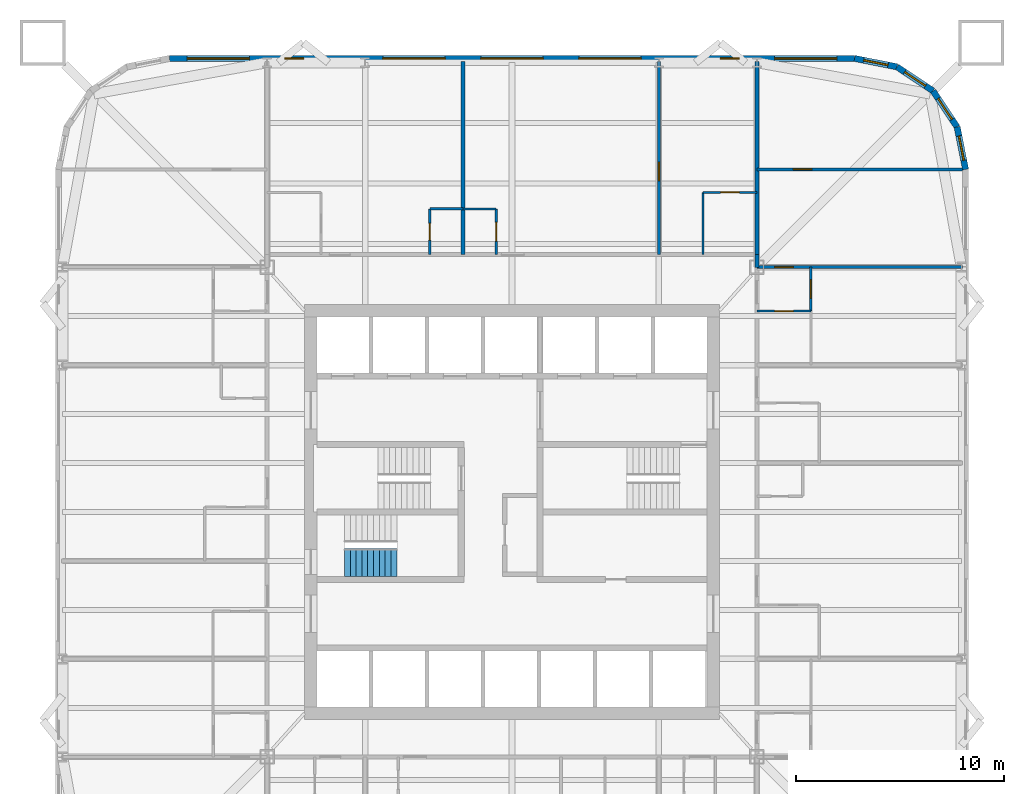
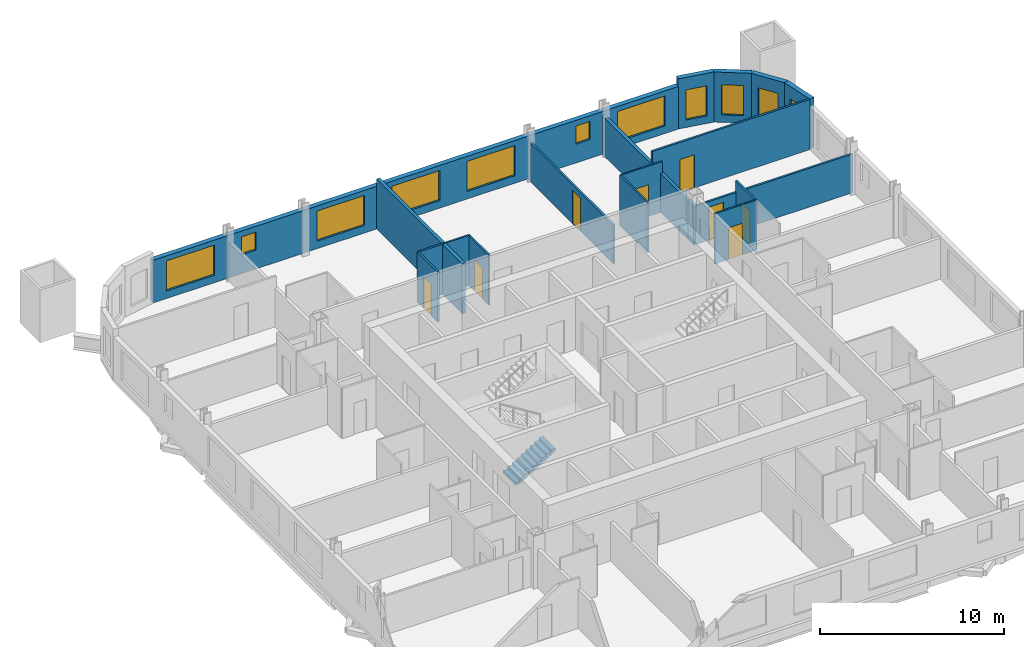
# One storey, part 7 of 9: 19 walls, 11 windows, 8 doors, 1 stair flight, 19 openings, 1 element without a shape of its own.
"""IFC4 building model written with IfcOpenShell, lengths in metres."""

from ifc_helpers import new_model, si_unit, direction, frame, frame_2d, origin, place, context, subcontext, project, spatial, polyline, rectangle, outline, extrude, material, layer, layer_set, type_object, element, fill, aggregate, save


model = new_model("IFC4")

# Units and contexts
model_context = context("Model", 3, precision=1e-05, world=origin(), true_north=direction((0.0, 1.0)))
body_context = subcontext(model_context, "Body", "Model", "MODEL_VIEW")
ifc_project = project(units=[si_unit("LENGTHUNIT", "METRE"), si_unit("AREAUNIT", "SQUARE_METRE"), si_unit("VOLUMEUNIT", "CUBIC_METRE"), si_unit("PLANEANGLEUNIT", "RADIAN"), si_unit("MASSUNIT", "GRAM", prefix="KILO")], contexts=[model_context])

# Site, building, storey
site_placement = place(None, origin())
site = spatial("IfcSite", under=ifc_project, at=site_placement, CompositionType="ELEMENT")
building_placement = place(site_placement, origin())
building = spatial("IfcBuilding", under=site, at=building_placement, Name="Turquesa Mirador Hotel Tower", CompositionType="ELEMENT")
storey_placement = place(building_placement, frame((0.0, 0.0, 42.5)))
storey = spatial("IfcBuildingStorey", under=building, at=storey_placement, Name="L10", CompositionType="ELEMENT", Elevation=42.5)

# Wall
ifc_material_1 = material(Name="Gypsum board on steel studs", Category="steel")
ifc_layer_1 = layer(ifc_material_1, 0.10009765625)
ifc_layer_set_1 = layer_set([ifc_layer_1], Name="BATHROOM WALL 100")
wall_type_1 = type_object("IfcWallType", Name="BATHROOM WALL 100", PredefinedType="PARTITIONING", material=ifc_layer_set_1)
wall_1_placement = place(storey_placement, frame((52.639892578125, 59.60009765625, 0.0), z_axis=(0.0, 0.0, 1.0), x_axis=(1.0, 0.0, 0.0)))
element("IfcWall", 1, at=wall_1_placement, inside=storey, type_object=wall_type_1, Name="Partition L10 023", PredefinedType="PARTITIONING", context=body_context, shape_type="SweptSolid", body=[
    extrude(rectangle(XDim=1.60009765625, YDim=0.10009765625, at=frame_2d((0.800048828125, 0.0))), origin(), (0.0, 0.0, 1.0), 3.330078125),
])

# Wall, opening, door
wall_2_placement = place(storey_placement, frame((64.199951171875, 60.39990234375, 0.0), z_axis=(0.0, 0.0, 1.0), x_axis=(1.0, 0.0, 0.0)))
wall_2 = element("IfcWall", 2, at=wall_2_placement, inside=storey, type_object=wall_type_1, Name="Partition L10 026", PredefinedType="PARTITIONING", context=body_context, shape_type="SweptSolid", body=[
    extrude(rectangle(XDim=2.60009765625, YDim=0.10009765625, at=frame_2d((1.300048828125, 0.0))), origin(), (0.0, 0.0, 1.0), 3.330078125),
])
opening_1_placement = place(wall_2_placement, frame((0.85009765625, 0.0, 0.0)))
opening_1 = element("IfcOpeningElement", 3, at=opening_1_placement, cuts=wall_2, Name="Opening D02", PredefinedType="OPENING", context=body_context, shape_type="SweptSolid", body=[
    extrude(rectangle(XDim=0.89990234375, YDim=2.10009765625, at=frame_2d((0.449951171875, 1.050048828125))), frame((0.0, 0.06005859375, 0.0), z_axis=(0.0, -1.0, 0.0), x_axis=(1.0, 0.0, 0.0)), (0.0, 0.0, 1.0), 0.1201171875),
])
ifc_material_2 = material(Name="Timber veneered door", Category="wood")
door_type_1 = type_object("IfcDoorType", Name="DOOR 900X2100 EN-SUITE", OperationType="SINGLE_SWING_RIGHT", PredefinedType="DOOR", material=ifc_material_2)
door_1_placement = place(opening_1_placement, origin())
door_1 = element("IfcDoor", 4, at=door_1_placement, inside=storey, type_object=door_type_1, Name="Door 1002B", OperationType="SINGLE_SWING_RIGHT", OverallHeight=2.10009765625, OverallWidth=0.89990234375, PredefinedType="DOOR", context=body_context, shape_type="SweptSolid", body=[
    extrude(rectangle(XDim=0.89990234375, YDim=2.10009765625, at=frame_2d((0.449951171875, 1.050048828125))), frame((0.0, 0.02490234375, 0.0), z_axis=(0.0, -1.0, 0.0), x_axis=(1.0, 0.0, 0.0)), (0.0, 0.0, 1.0), 0.050048828125),
])
fill(opening_1, door_1)

wall_3_placement = place(storey_placement, frame((66.800048828125, 54.679931640625, 0.0), z_axis=(0.0, 0.0, 1.0), x_axis=(1.0, 0.0, 0.0)))
wall_3 = element("IfcWall", 5, at=wall_3_placement, inside=storey, type_object=wall_type_1, Name="Partition L10 035", PredefinedType="PARTITIONING", context=body_context, shape_type="SweptSolid", body=[
    extrude(rectangle(XDim=2.599853515625, YDim=0.10009765625, at=frame_2d((1.2998046875, 0.0))), origin(), (0.0, 0.0, 1.0), 3.330078125),
])
opening_2_placement = place(wall_3_placement, frame((0.85009765625, 0.0, 0.0)))
opening_2 = element("IfcOpeningElement", 6, at=opening_2_placement, cuts=wall_3, Name="Opening D02", PredefinedType="OPENING", context=body_context, shape_type="SweptSolid", body=[
    extrude(rectangle(XDim=0.89990234375, YDim=2.10009765625, at=frame_2d((0.449951171875, 1.050048828125))), frame((0.0, 0.06005859375, 0.0), z_axis=(0.0, -1.0, 0.0), x_axis=(1.0, 0.0, 0.0)), (0.0, 0.0, 1.0), 0.1201171875),
])
door_2_placement = place(opening_2_placement, origin())
door_2 = element("IfcDoor", 7, at=door_2_placement, inside=storey, type_object=door_type_1, Name="Door 1010B", OperationType="SINGLE_SWING_RIGHT", OverallHeight=2.10009765625, OverallWidth=0.89990234375, PredefinedType="DOOR", context=body_context, shape_type="SweptSolid", body=[
    extrude(rectangle(XDim=0.89990234375, YDim=2.10009765625, at=frame_2d((0.449951171875, 1.050048828125))), frame((0.0, 0.02490234375, 0.0), z_axis=(0.0, -1.0, 0.0), x_axis=(1.0, 0.0, 0.0)), (0.0, 0.0, 1.0), 0.050048828125),
])
fill(opening_2, door_2)

wall_4_placement = place(storey_placement, frame((54.239990234375, 57.39990234375, 0.0), z_axis=(0.0, 0.0, 1.0), x_axis=(0.0, 1.0, 0.0)))
wall_4 = element("IfcWall", 8, at=wall_4_placement, inside=storey, type_object=wall_type_1, Name="Partition L10 036", PredefinedType="PARTITIONING", context=body_context, shape_type="SweptSolid", body=[
    extrude(rectangle(XDim=2.2001953125, YDim=0.10009765625, at=frame_2d((1.10009765625, 0.0))), origin(), (0.0, 0.0, 1.0), 3.330078125),
])
opening_3_placement = place(wall_4_placement, frame((0.64990234375, 0.0, 0.0)))
opening_3 = element("IfcOpeningElement", 9, at=opening_3_placement, cuts=wall_4, Name="Opening D06", PredefinedType="OPENING", context=body_context, shape_type="SweptSolid", body=[
    extrude(rectangle(XDim=0.89990234375, YDim=2.10009765625, at=frame_2d((0.449951171875, 1.050048828125))), frame((0.0, 0.06005859375, 0.0), z_axis=(0.0, -1.0, 0.0), x_axis=(1.0, 0.0, 0.0)), (0.0, 0.0, 1.0), 0.1201171875),
])
ifc_material_3 = material(Name="Laminate door", Category="wood")
door_type_2 = type_object("IfcDoorType", Name="DOOR 900X2100 WC", OperationType="SINGLE_SWING_LEFT", PredefinedType="DOOR", material=ifc_material_3)
door_3_placement = place(opening_3_placement, origin())
door_3 = element("IfcDoor", 10, at=door_3_placement, inside=storey, type_object=door_type_2, Name="Door 1002W", OperationType="SINGLE_SWING_LEFT", OverallHeight=2.10009765625, OverallWidth=0.89990234375, PredefinedType="DOOR", context=body_context, shape_type="SweptSolid", body=[
    extrude(rectangle(XDim=0.89990234375, YDim=2.10009765625, at=frame_2d((0.449951171875, 1.050048828125))), frame((0.0, 0.02490234375, 0.0), z_axis=(0.0, -1.0, 0.0), x_axis=(1.0, 0.0, 0.0)), (0.0, 0.0, 1.0), 0.050048828125),
])
fill(opening_3, door_3)

# Walls
wall_5_placement = place(storey_placement, frame((64.199951171875, 57.39990234375, 0.0), z_axis=(0.0, 0.0, 1.0), x_axis=(0.0, 1.0, 0.0)))
element("IfcWall", 11, at=wall_5_placement, inside=storey, type_object=wall_type_1, Name="Partition L10 067", PredefinedType="PARTITIONING", context=body_context, shape_type="SweptSolid", body=[
    extrude(rectangle(XDim=3.0, YDim=0.10009765625, at=frame_2d((1.5, 0.0))), origin(), (0.0, 0.0, 1.0), 3.330078125),
])
ifc_material_4 = material(Name="Fire-rated gypsum board on steel studs", Category="steel")
ifc_layer_2 = layer(ifc_material_4, 0.199951171875)
ifc_layer_set_2 = layer_set([ifc_layer_2], Name="CORRIDOR WALL 200")
wall_type_2 = type_object("IfcWallType", Name="CORRIDOR WALL 200", PredefinedType="PARTITIONING", material=ifc_layer_set_2)
wall_6_placement = place(storey_placement, frame((66.800048828125, 56.780029296875, 0.0), z_axis=(0.0, 0.0, 1.0), x_axis=(0.0, 1.0, 0.0)))
element("IfcWall", 12, at=wall_6_placement, inside=storey, type_object=wall_type_2, Name="Partition L10 070", PredefinedType="PARTITIONING", context=body_context, shape_type="SweptSolid", body=[
    extrude(rectangle(XDim=0.619873046875, YDim=0.199951171875, at=frame_2d((0.31005859375, 0.0))), origin(), (0.0, 0.0, 1.0), 2.572998046875),
])

# Wall, opening, window
ifc_material_5 = material(Name="Limestone cladding on concrete block", Category="masonry")
ifc_layer_3 = layer(ifc_material_5, 0.300048828125)
ifc_layer_set_3 = layer_set([ifc_layer_3], Name="FACADE WALL 300 STONE SCREEN")
wall_type_3 = type_object("IfcWallType", Name="FACADE WALL 300 STONE SCREEN", PredefinedType="SOLIDWALL", material=ifc_layer_set_3)
wall_7_placement = place(storey_placement, frame((76.85009765625, 61.5, 0.0), z_axis=(0.0, 0.0, 1.0), x_axis=(-0.195081421501, 0.980787050784, 0.0)))
wall_7 = element("IfcWall", 13, at=wall_7_placement, inside=storey, type_object=wall_type_3, Name="Facade wall L10 05", PredefinedType="SOLIDWALL", context=body_context, shape_type="SweptSolid", body=[
    extrude(rectangle(XDim=2.08740234375, YDim=0.300048828125, at=frame_2d((1.043701171875, 0.0))), origin(), (0.0, 0.0, 1.0), 3.330078125),
])
opening_4_placement = place(wall_7_placement, frame((0.443603515625, 0.0, 0.5)))
opening_4 = element("IfcOpeningElement", 14, at=opening_4_placement, cuts=wall_7, Name="Opening WN4", PredefinedType="OPENING", context=body_context, shape_type="SweptSolid", body=[
    extrude(rectangle(XDim=1.199951171875, YDim=2.0, at=frame_2d((0.60009765625, 1.0))), frame((0.0, 0.159912109375, 0.0), z_axis=(0.0, -1.0, 0.0), x_axis=(1.0, 0.0, 0.0)), (0.0, 0.0, 1.0), 0.320068359375),
])
ifc_material_6 = material(Name="Ceramic-fritted laminated glass", Category="glass")
window_type_1 = type_object("IfcWindowType", Name="FRITTED CORNER WINDOW 1200X2000", PartitioningType="DOUBLE_PANEL_HORIZONTAL", PredefinedType="WINDOW", material=ifc_material_6)
window_1_placement = place(opening_4_placement, origin())
window_1 = element("IfcWindow", 15, at=window_1_placement, inside=storey, type_object=window_type_1, Name="Window L10", OverallHeight=2.0, OverallWidth=1.199951171875, PartitioningType="SINGLE_PANEL", PredefinedType="WINDOW", context=body_context, shape_type="SweptSolid", body=[
    extrude(rectangle(XDim=1.199951171875, YDim=2.0, at=frame_2d((0.60009765625, 1.0))), frame((0.0, 0.030029296875, 0.0), z_axis=(0.0, -1.0, 0.0), x_axis=(1.0, 0.0, 0.0)), (0.0, 0.0, 1.0), 0.06005859375),
])
fill(opening_4, window_1)

wall_8_placement = place(storey_placement, frame((76.44287109375, 63.54736328125, 0.0), z_axis=(0.0, 0.0, 1.0), x_axis=(-0.555644460423, 0.831420010345, 0.0)))
wall_8 = element("IfcWall", 16, at=wall_8_placement, inside=storey, type_object=wall_type_3, Name="Facade wall L10 06", PredefinedType="SOLIDWALL", context=body_context, shape_type="SweptSolid", body=[
    extrude(rectangle(XDim=2.08740234375, YDim=0.300048828125, at=frame_2d((1.043701171875, 0.0))), origin(), (0.0, 0.0, 1.0), 3.330078125),
])
opening_5_placement = place(wall_8_placement, frame((0.443603515625, 0.0, 0.5)))
opening_5 = element("IfcOpeningElement", 17, at=opening_5_placement, cuts=wall_8, Name="Opening WN4", PredefinedType="OPENING", context=body_context, shape_type="SweptSolid", body=[
    extrude(rectangle(XDim=1.199951171875, YDim=2.0, at=frame_2d((0.60009765625, 1.0))), frame((0.0, 0.159912109375, 0.0), z_axis=(0.0, -1.0, 0.0), x_axis=(1.0, 0.0, 0.0)), (0.0, 0.0, 1.0), 0.320068359375),
])
window_2_placement = place(opening_5_placement, origin())
window_2 = element("IfcWindow", 18, at=window_2_placement, inside=storey, type_object=window_type_1, Name="Window L10", OverallHeight=2.0, OverallWidth=1.199951171875, PartitioningType="SINGLE_PANEL", PredefinedType="WINDOW", context=body_context, shape_type="SweptSolid", body=[
    extrude(rectangle(XDim=1.199951171875, YDim=2.0, at=frame_2d((0.60009765625, 1.0))), frame((0.0, 0.030029296875, 0.0), z_axis=(0.0, -1.0, 0.0), x_axis=(1.0, 0.0, 0.0)), (0.0, 0.0, 1.0), 0.06005859375),
])
fill(opening_5, window_2)

wall_9_placement = place(storey_placement, frame((75.282958984375, 65.282958984375, 0.0), z_axis=(0.0, 0.0, 1.0), x_axis=(-0.831420010345, 0.555644460423, 0.0)))
wall_9 = element("IfcWall", 19, at=wall_9_placement, inside=storey, type_object=wall_type_3, Name="Facade wall L10 07", PredefinedType="SOLIDWALL", context=body_context, shape_type="SweptSolid", body=[
    extrude(rectangle(XDim=2.08740234375, YDim=0.300048828125, at=frame_2d((1.043701171875, 0.0))), origin(), (0.0, 0.0, 1.0), 3.330078125),
])
opening_6_placement = place(wall_9_placement, frame((0.443603515625, 0.0, 0.5)))
opening_6 = element("IfcOpeningElement", 20, at=opening_6_placement, cuts=wall_9, Name="Opening WN4", PredefinedType="OPENING", context=body_context, shape_type="SweptSolid", body=[
    extrude(rectangle(XDim=1.199951171875, YDim=2.0, at=frame_2d((0.60009765625, 1.0))), frame((0.0, 0.159912109375, 0.0), z_axis=(0.0, -1.0, 0.0), x_axis=(1.0, 0.0, 0.0)), (0.0, 0.0, 1.0), 0.320068359375),
])
window_3_placement = place(opening_6_placement, origin())
window_3 = element("IfcWindow", 21, at=window_3_placement, inside=storey, type_object=window_type_1, Name="Window L10", OverallHeight=2.0, OverallWidth=1.199951171875, PartitioningType="SINGLE_PANEL", PredefinedType="WINDOW", context=body_context, shape_type="SweptSolid", body=[
    extrude(rectangle(XDim=1.199951171875, YDim=2.0, at=frame_2d((0.60009765625, 1.0))), frame((0.0, 0.030029296875, 0.0), z_axis=(0.0, -1.0, 0.0), x_axis=(1.0, 0.0, 0.0)), (0.0, 0.0, 1.0), 0.06005859375),
])
fill(opening_6, window_3)

wall_10_placement = place(storey_placement, frame((73.54736328125, 66.44287109375, 0.0), z_axis=(0.0, 0.0, 1.0), x_axis=(-0.980787050784, 0.195081421501, 0.0)))
wall_10 = element("IfcWall", 22, at=wall_10_placement, inside=storey, type_object=wall_type_3, Name="Facade wall L10 08", PredefinedType="SOLIDWALL", context=body_context, shape_type="SweptSolid", body=[
    extrude(rectangle(XDim=2.08740234375, YDim=0.300048828125, at=frame_2d((1.043701171875, 0.0))), origin(), (0.0, 0.0, 1.0), 3.330078125),
])
opening_7_placement = place(wall_10_placement, frame((0.443603515625, 0.0, 0.5)))
opening_7 = element("IfcOpeningElement", 23, at=opening_7_placement, cuts=wall_10, Name="Opening WN4", PredefinedType="OPENING", context=body_context, shape_type="SweptSolid", body=[
    extrude(rectangle(XDim=1.199951171875, YDim=2.0, at=frame_2d((0.60009765625, 1.0))), frame((0.0, 0.159912109375, 0.0), z_axis=(0.0, -1.0, 0.0), x_axis=(1.0, 0.0, 0.0)), (0.0, 0.0, 1.0), 0.320068359375),
])
window_4_placement = place(opening_7_placement, origin())
window_4 = element("IfcWindow", 24, at=window_4_placement, inside=storey, type_object=window_type_1, Name="Window L10", OverallHeight=2.0, OverallWidth=1.199951171875, PartitioningType="SINGLE_PANEL", PredefinedType="WINDOW", context=body_context, shape_type="SweptSolid", body=[
    extrude(rectangle(XDim=1.199951171875, YDim=2.0, at=frame_2d((0.60009765625, 1.0))), frame((0.0, 0.030029296875, 0.0), z_axis=(0.0, -1.0, 0.0), x_axis=(1.0, 0.0, 0.0)), (0.0, 0.0, 1.0), 0.06005859375),
])
fill(opening_7, window_4)

# Wall, openings, windows
wall_11_placement = place(storey_placement, frame((71.5, 66.85009765625, 0.0), z_axis=(0.0, 0.0, 1.0), x_axis=(-1.0, 0.0, 0.0)))
wall_11 = element("IfcWall", 25, at=wall_11_placement, inside=storey, type_object=wall_type_3, Name="Facade wall L10 09", PredefinedType="SOLIDWALL", context=body_context, shape_type="SweptSolid", body=[
    extrude(rectangle(XDim=33.0, YDim=0.300048828125, at=frame_2d((16.5, 0.0))), origin(), (0.0, 0.0, 1.0), 2.830078125),
])
opening_8_placement = place(wall_11_placement, frame((0.85009765625, 0.0, 0.5)))
opening_8 = element("IfcOpeningElement", 26, at=opening_8_placement, cuts=wall_11, Name="Opening WN1", PredefinedType="OPENING", context=body_context, shape_type="SweptSolid", body=[
    extrude(rectangle(XDim=3.0, YDim=2.0, at=frame_2d((1.5, 1.0))), frame((0.0, 0.159912109375, 0.0), z_axis=(0.0, -1.0, 0.0), x_axis=(1.0, 0.0, 0.0)), (0.0, 0.0, 1.0), 0.320068359375),
])
opening_9_placement = place(wall_11_placement, frame((5.56005859375, 0.0, 1.25)))
opening_9 = element("IfcOpeningElement", 27, at=opening_9_placement, cuts=wall_11, Name="Opening WN36", PredefinedType="OPENING", context=body_context, shape_type="SweptSolid", body=[
    extrude(rectangle(XDim=0.89990234375, YDim=1.199951171875, at=frame_2d((0.449951171875, 0.60009765625))), frame((0.0, 0.159912109375, 0.0), z_axis=(0.0, -1.0, 0.0), x_axis=(1.0, 0.0, 0.0)), (0.0, 0.0, 1.0), 0.320068359375),
])
opening_10_placement = place(wall_11_placement, frame((10.280029296875, 0.0, 0.5)))
opening_10 = element("IfcOpeningElement", 28, at=opening_10_placement, cuts=wall_11, Name="Opening WN1", PredefinedType="OPENING", context=body_context, shape_type="SweptSolid", body=[
    extrude(rectangle(XDim=3.0, YDim=2.0, at=frame_2d((1.5, 1.0))), frame((0.0, 0.159912109375, 0.0), z_axis=(0.0, -1.0, 0.0), x_axis=(1.0, 0.0, 0.0)), (0.0, 0.0, 1.0), 0.320068359375),
])
opening_11_placement = place(wall_11_placement, frame((15.0, 0.0, 0.5)))
opening_11 = element("IfcOpeningElement", 29, at=opening_11_placement, cuts=wall_11, Name="Opening WN1", PredefinedType="OPENING", context=body_context, shape_type="SweptSolid", body=[
    extrude(rectangle(XDim=3.0, YDim=2.0, at=frame_2d((1.5, 1.0))), frame((0.0, 0.159912109375, 0.0), z_axis=(0.0, -1.0, 0.0), x_axis=(1.0, 0.0, 0.0)), (0.0, 0.0, 1.0), 0.320068359375),
])
opening_12_placement = place(wall_11_placement, frame((19.719970703125, 0.0, 0.5)))
opening_12 = element("IfcOpeningElement", 30, at=opening_12_placement, cuts=wall_11, Name="Opening WN1", PredefinedType="OPENING", context=body_context, shape_type="SweptSolid", body=[
    extrude(rectangle(XDim=3.0, YDim=2.0, at=frame_2d((1.5, 1.0))), frame((0.0, 0.159912109375, 0.0), z_axis=(0.0, -1.0, 0.0), x_axis=(1.0, 0.0, 0.0)), (0.0, 0.0, 1.0), 0.320068359375),
])
opening_13_placement = place(wall_11_placement, frame((26.5400390625, 0.0, 1.25)))
opening_13 = element("IfcOpeningElement", 31, at=opening_13_placement, cuts=wall_11, Name="Opening WN36", PredefinedType="OPENING", context=body_context, shape_type="SweptSolid", body=[
    extrude(rectangle(XDim=0.89990234375, YDim=1.199951171875, at=frame_2d((0.449951171875, 0.60009765625))), frame((0.0, 0.159912109375, 0.0), z_axis=(0.0, -1.0, 0.0), x_axis=(1.0, 0.0, 0.0)), (0.0, 0.0, 1.0), 0.320068359375),
])
opening_14_placement = place(wall_11_placement, frame((29.14990234375, 0.0, 0.5)))
opening_14 = element("IfcOpeningElement", 32, at=opening_14_placement, cuts=wall_11, Name="Opening WN1", PredefinedType="OPENING", context=body_context, shape_type="SweptSolid", body=[
    extrude(rectangle(XDim=3.0, YDim=2.0, at=frame_2d((1.5, 1.0))), frame((0.0, 0.159912109375, 0.0), z_axis=(0.0, -1.0, 0.0), x_axis=(1.0, 0.0, 0.0)), (0.0, 0.0, 1.0), 0.320068359375),
])
ifc_material_7 = material(Name="Ceramic-fritted laminated glass", Category="glass")
window_type_2 = type_object("IfcWindowType", Name="FRITTED WINDOW 3000X2000", PartitioningType="DOUBLE_PANEL_HORIZONTAL", PredefinedType="WINDOW", material=ifc_material_7)
window_5_placement = place(opening_8_placement, origin())
window_5 = element("IfcWindow", 33, at=window_5_placement, inside=storey, type_object=window_type_2, Name="Window L10", OverallHeight=2.0, OverallWidth=3.0, PartitioningType="SINGLE_PANEL", PredefinedType="WINDOW", context=body_context, shape_type="SweptSolid", body=[
    extrude(rectangle(XDim=3.0, YDim=2.0, at=frame_2d((1.5, 1.0))), frame((0.0, 0.030029296875, 0.0), z_axis=(0.0, -1.0, 0.0), x_axis=(1.0, 0.0, 0.0)), (0.0, 0.0, 1.0), 0.06005859375),
])
fill(opening_8, window_5)
window_6_placement = place(opening_10_placement, origin())
window_6 = element("IfcWindow", 34, at=window_6_placement, inside=storey, type_object=window_type_2, Name="Window L10", OverallHeight=2.0, OverallWidth=3.0, PartitioningType="SINGLE_PANEL", PredefinedType="WINDOW", context=body_context, shape_type="SweptSolid", body=[
    extrude(rectangle(XDim=3.0, YDim=2.0, at=frame_2d((1.5, 1.0))), frame((0.0, 0.030029296875, 0.0), z_axis=(0.0, -1.0, 0.0), x_axis=(1.0, 0.0, 0.0)), (0.0, 0.0, 1.0), 0.06005859375),
])
fill(opening_10, window_6)
window_7_placement = place(opening_11_placement, origin())
window_7 = element("IfcWindow", 35, at=window_7_placement, inside=storey, type_object=window_type_2, Name="Window L10", OverallHeight=2.0, OverallWidth=3.0, PartitioningType="SINGLE_PANEL", PredefinedType="WINDOW", context=body_context, shape_type="SweptSolid", body=[
    extrude(rectangle(XDim=3.0, YDim=2.0, at=frame_2d((1.5, 1.0))), frame((0.0, 0.030029296875, 0.0), z_axis=(0.0, -1.0, 0.0), x_axis=(1.0, 0.0, 0.0)), (0.0, 0.0, 1.0), 0.06005859375),
])
fill(opening_11, window_7)
window_8_placement = place(opening_12_placement, origin())
window_8 = element("IfcWindow", 36, at=window_8_placement, inside=storey, type_object=window_type_2, Name="Window L10", OverallHeight=2.0, OverallWidth=3.0, PartitioningType="SINGLE_PANEL", PredefinedType="WINDOW", context=body_context, shape_type="SweptSolid", body=[
    extrude(rectangle(XDim=3.0, YDim=2.0, at=frame_2d((1.5, 1.0))), frame((0.0, 0.030029296875, 0.0), z_axis=(0.0, -1.0, 0.0), x_axis=(1.0, 0.0, 0.0)), (0.0, 0.0, 1.0), 0.06005859375),
])
fill(opening_12, window_8)
window_9_placement = place(opening_14_placement, origin())
window_9 = element("IfcWindow", 37, at=window_9_placement, inside=storey, type_object=window_type_2, Name="Window L10", OverallHeight=2.0, OverallWidth=3.0, PartitioningType="SINGLE_PANEL", PredefinedType="WINDOW", context=body_context, shape_type="SweptSolid", body=[
    extrude(rectangle(XDim=3.0, YDim=2.0, at=frame_2d((1.5, 1.0))), frame((0.0, 0.030029296875, 0.0), z_axis=(0.0, -1.0, 0.0), x_axis=(1.0, 0.0, 0.0)), (0.0, 0.0, 1.0), 0.06005859375),
])
fill(opening_14, window_9)
ifc_material_8 = material(Name="Ceramic-fritted laminated glass", Category="glass")
window_type_3 = type_object("IfcWindowType", Name="FRITTED WINDOW 900X1200", PartitioningType="DOUBLE_PANEL_HORIZONTAL", PredefinedType="WINDOW", material=ifc_material_8)
window_10_placement = place(opening_9_placement, origin())
window_10 = element("IfcWindow", 38, at=window_10_placement, inside=storey, type_object=window_type_3, Name="Window L10", OverallHeight=1.199951171875, OverallWidth=0.89990234375, PartitioningType="SINGLE_PANEL", PredefinedType="WINDOW", context=body_context, shape_type="SweptSolid", body=[
    extrude(rectangle(XDim=0.89990234375, YDim=1.199951171875, at=frame_2d((0.449951171875, 0.60009765625))), frame((0.0, 0.030029296875, 0.0), z_axis=(0.0, -1.0, 0.0), x_axis=(1.0, 0.0, 0.0)), (0.0, 0.0, 1.0), 0.06005859375),
])
fill(opening_9, window_10)
window_11_placement = place(opening_13_placement, origin())
window_11 = element("IfcWindow", 39, at=window_11_placement, inside=storey, type_object=window_type_3, Name="Window L10", OverallHeight=1.199951171875, OverallWidth=0.89990234375, PartitioningType="SINGLE_PANEL", PredefinedType="WINDOW", context=body_context, shape_type="SweptSolid", body=[
    extrude(rectangle(XDim=0.89990234375, YDim=1.199951171875, at=frame_2d((0.449951171875, 0.60009765625))), frame((0.0, 0.030029296875, 0.0), z_axis=(0.0, -1.0, 0.0), x_axis=(1.0, 0.0, 0.0)), (0.0, 0.0, 1.0), 0.06005859375),
])
fill(opening_13, window_11)

# Walls
ifc_material_9 = material(Name="Fire-rated gypsum board on steel studs", Category="steel")
ifc_layer_4 = layer(ifc_material_9, 0.199951171875)
ifc_layer_set_4 = layer_set([ifc_layer_4], Name="PARTY WALL 200")
wall_type_4 = type_object("IfcWallType", Name="PARTY WALL 200", PredefinedType="PARTITIONING", material=ifc_layer_set_4)
wall_12_placement = place(storey_placement, frame((52.639892578125, 57.39990234375, 0.0), z_axis=(0.0, 0.0, 1.0), x_axis=(0.0, 1.0, 0.0)))
element("IfcWall", 40, at=wall_12_placement, inside=storey, type_object=wall_type_4, Name="Partition L10 046", PredefinedType="PARTITIONING", context=body_context, shape_type="SweptSolid", body=[
    extrude(rectangle(XDim=9.300048828125, YDim=0.199951171875, at=frame_2d((4.64990234375, 0.0))), origin(), (0.0, 0.0, 1.0), 3.330078125),
])
wall_13_placement = place(storey_placement, frame((66.800048828125, 57.39990234375, 0.0), z_axis=(0.0, 0.0, 1.0), x_axis=(0.0, 1.0, 0.0)))
element("IfcWall", 41, at=wall_13_placement, inside=storey, type_object=wall_type_4, Name="Partition L10 054", PredefinedType="PARTITIONING", context=body_context, shape_type="SweptSolid", body=[
    extrude(rectangle(XDim=9.300048828125, YDim=0.199951171875, at=frame_2d((4.64990234375, 0.0))), origin(), (0.0, 0.0, 1.0), 2.572998046875),
])

# Wall, opening, door
ifc_material_10 = material(Name="Acoustic gypsum board on steel studs", Category="steel")
ifc_layer_5 = layer(ifc_material_10, 0.125)
ifc_layer_set_5 = layer_set([ifc_layer_5], Name="SUITE PARTITION 125")
wall_type_5 = type_object("IfcWallType", Name="SUITE PARTITION 125", PredefinedType="PARTITIONING", material=ifc_layer_set_5)
wall_14_placement = place(storey_placement, frame((66.800048828125, 56.800048828125, 0.0), z_axis=(0.0, 0.0, 1.0), x_axis=(1.0, 0.0, 0.0)))
wall_14 = element("IfcWall", 42, at=wall_14_placement, inside=storey, type_object=wall_type_5, Name="Partition L10 021", PredefinedType="PARTITIONING", context=body_context, shape_type="SweptSolid", body=[
    extrude(rectangle(XDim=9.89990234375, YDim=0.125, at=frame_2d((4.949951171875, 0.0))), origin(), (0.0, 0.0, 1.0), 2.572998046875),
])
opening_15_placement = place(wall_14_placement, frame((0.85009765625, 0.0, 0.0)))
opening_15 = element("IfcOpeningElement", 43, at=opening_15_placement, cuts=wall_14, Name="Opening D17", PredefinedType="OPENING", context=body_context, shape_type="SweptSolid", body=[
    extrude(rectangle(XDim=0.89990234375, YDim=2.199951171875, at=frame_2d((0.449951171875, 1.10009765625))), frame((0.0, 0.072509765625, 0.0), z_axis=(0.0, -1.0, 0.0), x_axis=(1.0, 0.0, 0.0)), (0.0, 0.0, 1.0), 0.14501953125),
])
ifc_material_11 = material(Name="Timber veneered door", Category="wood")
door_type_3 = type_object("IfcDoorType", Name="DOOR 900X2200 SUITE INTERNAL", OperationType="SINGLE_SWING_LEFT", PredefinedType="DOOR", material=ifc_material_11)
door_4_placement = place(opening_15_placement, origin())
door_4 = element("IfcDoor", 44, at=door_4_placement, inside=storey, type_object=door_type_3, Name="Door 1010", OperationType="SINGLE_SWING_LEFT", OverallHeight=2.199951171875, OverallWidth=0.89990234375, PredefinedType="DOOR", context=body_context, shape_type="SweptSolid", body=[
    extrude(rectangle(XDim=0.89990234375, YDim=2.199951171875, at=frame_2d((0.449951171875, 1.10009765625))), frame((0.0, 0.02490234375, 0.0), z_axis=(0.0, -1.0, 0.0), x_axis=(1.0, 0.0, 0.0)), (0.0, 0.0, 1.0), 0.050048828125),
])
fill(opening_15, door_4)

# Wall
wall_15_placement = place(storey_placement, frame((51.0400390625, 59.60009765625, 0.0), z_axis=(0.0, 0.0, 1.0), x_axis=(1.0, 0.0, 0.0)))
element("IfcWall", 45, at=wall_15_placement, inside=storey, type_object=wall_type_5, Name="Partition L10 024", PredefinedType="PARTITIONING", context=body_context, shape_type="SweptSolid", body=[
    extrude(rectangle(XDim=1.599853515625, YDim=0.125, at=frame_2d((0.7998046875, 0.0))), origin(), (0.0, 0.0, 1.0), 3.330078125),
])

# Wall, opening, door
wall_16_placement = place(storey_placement, frame((66.800048828125, 61.5, 0.0), z_axis=(0.0, 0.0, 1.0), x_axis=(1.0, 0.0, 0.0)))
wall_16 = element("IfcWall", 46, at=wall_16_placement, inside=storey, type_object=wall_type_5, Name="Partition L10 028", PredefinedType="PARTITIONING", context=body_context, shape_type="SweptSolid", body=[
    extrude(rectangle(XDim=9.89404296875, YDim=0.125, at=frame_2d((4.947021484375, 0.0))), origin(), (0.0, 0.0, 1.0), 3.330078125),
])
opening_16_placement = place(wall_16_placement, frame((1.75, 0.0, 0.0)))
opening_16 = element("IfcOpeningElement", 47, at=opening_16_placement, cuts=wall_16, Name="Opening D17", PredefinedType="OPENING", context=body_context, shape_type="SweptSolid", body=[
    extrude(rectangle(XDim=0.89990234375, YDim=2.199951171875, at=frame_2d((0.449951171875, 1.10009765625))), frame((0.0, 0.072509765625, 0.0), z_axis=(0.0, -1.0, 0.0), x_axis=(1.0, 0.0, 0.0)), (0.0, 0.0, 1.0), 0.14501953125),
])
door_5_placement = place(opening_16_placement, origin())
door_5 = element("IfcDoor", 48, at=door_5_placement, inside=storey, type_object=door_type_3, Name="Door 1010M", OperationType="SINGLE_SWING_LEFT", OverallHeight=2.199951171875, OverallWidth=0.89990234375, PredefinedType="DOOR", context=body_context, shape_type="SweptSolid", body=[
    extrude(rectangle(XDim=0.89990234375, YDim=2.199951171875, at=frame_2d((0.449951171875, 1.10009765625))), frame((0.0, 0.02490234375, 0.0), z_axis=(0.0, -1.0, 0.0), x_axis=(1.0, 0.0, 0.0)), (0.0, 0.0, 1.0), 0.050048828125),
])
fill(opening_16, door_5)

wall_17_placement = place(storey_placement, frame((51.0400390625, 57.39990234375, 0.0), z_axis=(0.0, 0.0, 1.0), x_axis=(0.0, 1.0, 0.0)))
wall_17 = element("IfcWall", 49, at=wall_17_placement, inside=storey, type_object=wall_type_5, Name="Partition L10 047", PredefinedType="PARTITIONING", context=body_context, shape_type="SweptSolid", body=[
    extrude(rectangle(XDim=2.2001953125, YDim=0.125, at=frame_2d((1.10009765625, 0.0))), origin(), (0.0, 0.0, 1.0), 3.330078125),
])
opening_17_placement = place(wall_17_placement, frame((0.699951171875, 0.0, 0.0)))
opening_17 = element("IfcOpeningElement", 50, at=opening_17_placement, cuts=wall_17, Name="Opening D20", PredefinedType="OPENING", context=body_context, shape_type="SweptSolid", body=[
    extrude(rectangle(XDim=0.800048828125, YDim=2.10009765625, at=frame_2d((0.39990234375, 1.050048828125))), frame((0.0, 0.072509765625, 0.0), z_axis=(0.0, -1.0, 0.0), x_axis=(1.0, 0.0, 0.0)), (0.0, 0.0, 1.0), 0.14501953125),
])
ifc_material_12 = material(Name="Timber veneered sliding door", Category="wood")
door_type_4 = type_object("IfcDoorType", Name="DOOR 800X2100 WARDROBE", OperationType="SLIDING_TO_LEFT", PredefinedType="DOOR", material=ifc_material_12)
door_6_placement = place(opening_17_placement, origin())
door_6 = element("IfcDoor", 51, at=door_6_placement, inside=storey, type_object=door_type_4, Name="Door 1001W", OperationType="SLIDING_TO_LEFT", OverallHeight=2.10009765625, OverallWidth=0.800048828125, PredefinedType="DOOR", context=body_context, shape_type="SweptSolid", body=[
    extrude(rectangle(XDim=0.800048828125, YDim=2.10009765625, at=frame_2d((0.39990234375, 1.050048828125))), frame((0.0, 0.02490234375, 0.0), z_axis=(0.0, -1.0, 0.0), x_axis=(1.0, 0.0, 0.0)), (0.0, 0.0, 1.0), 0.050048828125),
])
fill(opening_17, door_6)

wall_18_placement = place(storey_placement, frame((69.39990234375, 54.679931640625, 0.0), z_axis=(0.0, 0.0, 1.0), x_axis=(0.0, 1.0, 0.0)))
wall_18 = element("IfcWall", 52, at=wall_18_placement, inside=storey, type_object=wall_type_5, Name="Partition L10 059", PredefinedType="PARTITIONING", context=body_context, shape_type="SweptSolid", body=[
    extrude(rectangle(XDim=2.1201171875, YDim=0.125, at=frame_2d((1.06005859375, 0.0))), origin(), (0.0, 0.0, 1.0), 3.330078125),
])
opening_18_placement = place(wall_18_placement, frame((0.610107421875, 0.0, 0.0)))
opening_18 = element("IfcOpeningElement", 53, at=opening_18_placement, cuts=wall_18, Name="Opening D17", PredefinedType="OPENING", context=body_context, shape_type="SweptSolid", body=[
    extrude(rectangle(XDim=0.89990234375, YDim=2.199951171875, at=frame_2d((0.449951171875, 1.10009765625))), frame((0.0, 0.072509765625, 0.0), z_axis=(0.0, -1.0, 0.0), x_axis=(1.0, 0.0, 0.0)), (0.0, 0.0, 1.0), 0.14501953125),
])
door_7_placement = place(opening_18_placement, origin())
door_7 = element("IfcDoor", 54, at=door_7_placement, inside=storey, type_object=door_type_3, Name="Door 1010R", OperationType="SINGLE_SWING_LEFT", OverallHeight=2.199951171875, OverallWidth=0.89990234375, PredefinedType="DOOR", context=body_context, shape_type="SweptSolid", body=[
    extrude(rectangle(XDim=0.89990234375, YDim=2.199951171875, at=frame_2d((0.449951171875, 1.10009765625))), frame((0.0, 0.02490234375, 0.0), z_axis=(0.0, -1.0, 0.0), x_axis=(1.0, 0.0, 0.0)), (0.0, 0.0, 1.0), 0.050048828125),
])
fill(opening_18, door_7)

wall_19_placement = place(storey_placement, frame((62.080078125, 57.39990234375, 0.0), z_axis=(0.0, 0.0, 1.0), x_axis=(0.0, 1.0, 0.0)))
wall_19 = element("IfcWall", 55, at=wall_19_placement, inside=storey, type_object=wall_type_5, Name="Partition L10 065", PredefinedType="PARTITIONING", context=body_context, shape_type="SweptSolid", body=[
    extrude(rectangle(XDim=9.300048828125, YDim=0.125, at=frame_2d((4.64990234375, 0.0))), origin(), (0.0, 0.0, 1.0), 2.572998046875),
])
opening_19_placement = place(wall_19_placement, frame((3.550048828125, 0.0, 0.0)))
opening_19 = element("IfcOpeningElement", 56, at=opening_19_placement, cuts=wall_19, Name="Opening D17", PredefinedType="OPENING", context=body_context, shape_type="SweptSolid", body=[
    extrude(rectangle(XDim=0.89990234375, YDim=2.199951171875, at=frame_2d((0.449951171875, 1.10009765625))), frame((0.0, 0.072509765625, 0.0), z_axis=(0.0, -1.0, 0.0), x_axis=(1.0, 0.0, 0.0)), (0.0, 0.0, 1.0), 0.14501953125),
])
door_8_placement = place(opening_19_placement, origin())
door_8 = element("IfcDoor", 57, at=door_8_placement, inside=storey, type_object=door_type_3, Name="Door 1002R", OperationType="SINGLE_SWING_LEFT", OverallHeight=2.199951171875, OverallWidth=0.89990234375, PredefinedType="DOOR", context=body_context, shape_type="SweptSolid", body=[
    extrude(rectangle(XDim=0.89990234375, YDim=2.199951171875, at=frame_2d((0.449951171875, 1.10009765625))), frame((0.0, 0.02490234375, 0.0), z_axis=(0.0, -1.0, 0.0), x_axis=(1.0, 0.0, 0.0)), (0.0, 0.0, 1.0), 0.050048828125),
])
fill(opening_19, door_8)

# Stair, stair flight
ifc_material_13 = material(Name="Concrete C35/45", Category="concrete")
stair_type = type_object("IfcStairType", Name="ESCAPE STAIR CORE", PredefinedType="HALF_TURN_STAIR", material=ifc_material_13)
stair_placement = place(storey_placement, origin())
stair = element("IfcStair", 58, at=stair_placement, inside=storey, type_object=stair_type, Name="Stair ST2 L10 to L11", PredefinedType="HALF_TURN_STAIR")
ifc_material_14 = material(Name="Concrete C35/45 precast flight", Category="concrete")
stair_flight_type = type_object("IfcStairFlightType", Name="STAIR FLIGHT 1330", PredefinedType="STRAIGHT", material=ifc_material_14)
stair_flight_placement = place(storey_placement, frame((46.929931640625, 42.56494140625, 0.0), z_axis=(0.0, 0.0, 1.0), x_axis=(1.0, 0.0, 0.0)))
stair_flight = element("IfcStairFlight", 59, at=stair_flight_placement, type_object=stair_flight_type, Name="ST2 flight 1", NumberOfRisers=10, NumberOfTreads=9, PredefinedType="STRAIGHT", RiserHeight=0.175, TreadLength=0.28, context=body_context, shape_type="SweptSolid", body=[
    extrude(outline(polyline([(0.0, 0.0), (0.0, 0.175048828125), (0.280029296875, 0.175048828125), (0.280029296875, 0.35009765625), (0.56005859375, 0.35009765625), (0.56005859375, 0.52490234375), (0.840087890625, 0.52490234375), (0.840087890625, 0.699951171875), (1.1201171875, 0.699951171875), (1.1201171875, 0.875), (1.39990234375, 0.875), (1.39990234375, 1.050048828125), (1.679931640625, 1.050048828125), (1.679931640625, 1.22509765625), (1.9599609375, 1.22509765625), (1.9599609375, 1.39990234375), (2.239990234375, 1.39990234375), (2.239990234375, 1.574951171875), (2.52001953125, 1.574951171875), (2.52001953125, 1.75), (2.52001953125, 1.398193359375), (0.28271484375, 0.0), (0.0, 0.0)])), frame((0.0, 0.6650390625, 0.0), z_axis=(0.0, -1.0, 0.0), x_axis=(1.0, 0.0, 0.0)), (0.0, 0.0, 1.0), 1.330078125),
])
aggregate(stair, [stair_flight])

save(model, "model.ifc")
